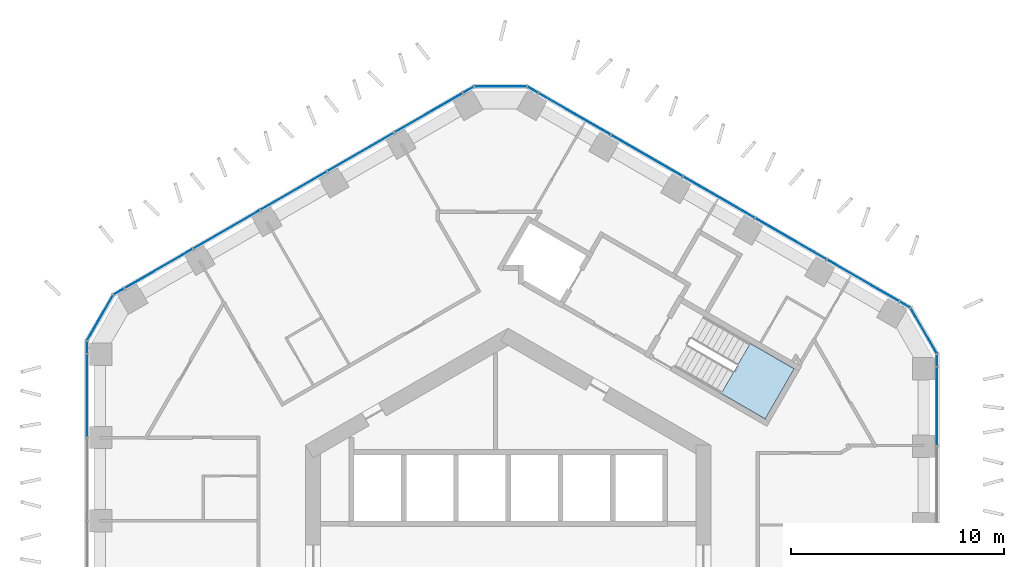
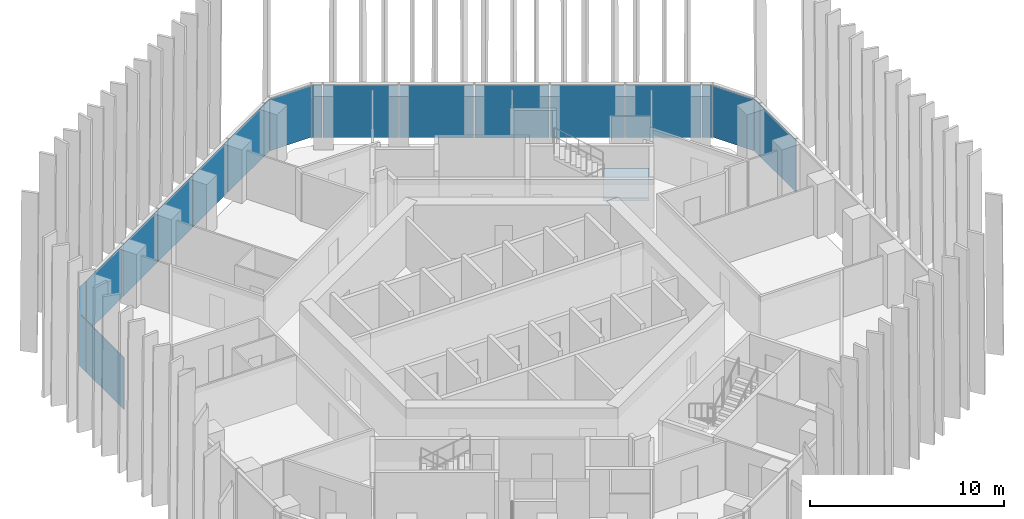
# One storey, part 11 of 19: 21 plates, 1 slab, 8 elements without a shape of their own.
"""IFC4 building model written with IfcOpenShell, lengths in metres."""

from ifc_helpers import new_model, si_unit, direction, frame, origin, origin_2d, place, context, subcontext, project, spatial, polyline, rectangle, outline, extrude, material, layer, layer_set, type_object, element, aggregate, save


model = new_model("IFC4")

# Units and contexts
model_context = context("Model", 3, precision=1e-05, world=origin(), true_north=direction((0.0, 1.0)))
body_context = subcontext(model_context, "Body", "Model", "MODEL_VIEW")
ifc_project = project(units=[si_unit("LENGTHUNIT", "METRE"), si_unit("AREAUNIT", "SQUARE_METRE"), si_unit("VOLUMEUNIT", "CUBIC_METRE"), si_unit("PLANEANGLEUNIT", "RADIAN"), si_unit("MASSUNIT", "GRAM", prefix="KILO")], contexts=[model_context])

# Site, building, storey
site_placement = place(None, origin())
site = spatial("IfcSite", under=ifc_project, at=site_placement, CompositionType="ELEMENT")
building_placement = place(site_placement, origin())
building = spatial("IfcBuilding", under=site, at=building_placement, Name="Ayvan Gate Tower", CompositionType="ELEMENT")
storey_placement = place(building_placement, frame((0.0, 0.0, 103.5)))
storey = spatial("IfcBuildingStorey", under=building, at=storey_placement, Name="L27", CompositionType="ELEMENT", Elevation=103.5)

# Stair, slab
ifc_material_1 = material(Name="Concrete C40/50", Category="concrete")
stair_type = type_object("IfcStairType", Name="ST-EXIT", PredefinedType="HALF_TURN_STAIR", material=ifc_material_1)
stair_placement = place(storey_placement, origin())
stair = element("IfcStair", 1, at=stair_placement, inside=storey, type_object=stair_type, Name="L27 Exit Stair S1", PredefinedType="HALF_TURN_STAIR")
ifc_layer_1 = layer(ifc_material_1, 0.199951171875)
ifc_layer_set_1 = layer_set([ifc_layer_1], Name="Concrete C40/50")
slab_type = type_object("IfcSlabType", Name="SL-LANDING-200", PredefinedType="LANDING", material=ifc_layer_set_1)
slab_placement = place(storey_placement, frame((0.0, 0.0, 1.5)))
slab = element("IfcSlab", 2, at=slab_placement, type_object=slab_type, Name="STS1 landing 1", PredefinedType="LANDING", context=body_context, shape_type="SweptSolid", body=[
    extrude(outline(polyline([(9.988525390625, 7.91064453125), (12.049560546875, 6.720458984375), (13.404541015625, 9.0673828125), (11.343505859375, 10.257568359375), (9.988525390625, 7.91064453125)])), origin(), (0.0, 0.0, 1.0), 0.199951171875),
])
aggregate(stair, [slab])

# Curtain wall, plates
ifc_material_2 = material(Name="Bronze anodised aluminium", Category="aluminium")
ifc_layer_2 = layer(ifc_material_2, 0.199951171875)
ifc_layer_set_2 = layer_set([ifc_layer_2], Name="Bronze anodised aluminium")
curtain_wall_type_1 = type_object("IfcCurtainWallType", Name="Stick curtain wall CW-1", PredefinedType="NOTDEFINED", material=ifc_layer_set_2)
curtain_wall_1_placement = place(storey_placement, origin())
curtain_wall_1 = element("IfcCurtainWall", 3, at=curtain_wall_1_placement, inside=storey, type_object=curtain_wall_type_1, Name="Stick curtain wall CW-1 L27", PredefinedType="NOTDEFINED")
ifc_material_3 = material(Name="Clear low-iron laminated glass", Category="glass")
ifc_layer_3 = layer(ifc_material_3, 0.028076171875)
ifc_layer_set_3 = layer_set([ifc_layer_3], Name="Clear low-iron laminated glass")
plate_type_1 = type_object("IfcPlateType", Name="Stick curtain wall CW-1 glass panel", PredefinedType="CURTAIN_PANEL", material=ifc_layer_set_3)
plate_1_placement = place(storey_placement, frame((-3.719482421875, 21.07421875, 0.0), z_axis=(0.0, 0.0, 1.0), x_axis=(-0.866025403784, -0.5, 0.0)))
plate_1 = element("IfcPlate", 4, at=plate_1_placement, type_object=plate_type_1, Name="CW-1 glass panel 1", PredefinedType="CURTAIN_PANEL", context=body_context, shape_type="SweptSolid", body=[
    extrude(rectangle(XDim=3.68603515625, YDim=0.028076171875, at=origin_2d()), origin(), (0.0, 0.0, 1.0), 3.280029296875),
])
plate_2_placement = place(storey_placement, frame((-6.912841796875, 19.23046875, 0.0), z_axis=(0.0, 0.0, 1.0), x_axis=(-0.866025403784, -0.5, 0.0)))
plate_2 = element("IfcPlate", 5, at=plate_2_placement, type_object=plate_type_1, Name="CW-1 glass panel 2", PredefinedType="CURTAIN_PANEL", context=body_context, shape_type="SweptSolid", body=[
    extrude(rectangle(XDim=3.569091796875, YDim=0.028076171875, at=origin_2d()), origin(), (0.0, 0.0, 1.0), 3.280029296875),
])
plate_3_placement = place(storey_placement, frame((-10.0556640625, 17.416015625, 0.0), z_axis=(0.0, 0.0, 1.0), x_axis=(-0.866025403784, -0.5, 0.0)))
plate_3 = element("IfcPlate", 6, at=plate_3_placement, type_object=plate_type_1, Name="CW-1 glass panel 3", PredefinedType="CURTAIN_PANEL", context=body_context, shape_type="SweptSolid", body=[
    extrude(rectangle(XDim=3.569091796875, YDim=0.028076171875, at=origin_2d()), origin(), (0.0, 0.0, 1.0), 3.280029296875),
])
plate_4_placement = place(storey_placement, frame((-13.198486328125, 15.6015625, 0.0), z_axis=(0.0, 0.0, 1.0), x_axis=(-0.866025403784, -0.5, 0.0)))
plate_4 = element("IfcPlate", 7, at=plate_4_placement, type_object=plate_type_1, Name="CW-1 glass panel 4", PredefinedType="CURTAIN_PANEL", context=body_context, shape_type="SweptSolid", body=[
    extrude(rectangle(XDim=3.569091796875, YDim=0.028076171875, at=origin_2d()), origin(), (0.0, 0.0, 1.0), 3.280029296875),
])
plate_5_placement = place(storey_placement, frame((-16.3916015625, 13.758056640625, 0.0), z_axis=(0.0, 0.0, 1.0), x_axis=(-0.866025403784, -0.5, 0.0)))
plate_5 = element("IfcPlate", 8, at=plate_5_placement, type_object=plate_type_1, Name="CW-1 glass panel 5", PredefinedType="CURTAIN_PANEL", context=body_context, shape_type="SweptSolid", body=[
    extrude(rectangle(XDim=3.68505859375, YDim=0.028076171875, at=origin_2d()), origin(), (0.0, 0.0, 1.0), 3.280029296875),
])
aggregate(curtain_wall_1, [plate_1, plate_2, plate_3, plate_4, plate_5])

# Curtain wall, plate
curtain_wall_2_placement = place(storey_placement, origin())
curtain_wall_2 = element("IfcCurtainWall", 9, at=curtain_wall_2_placement, inside=storey, type_object=curtain_wall_type_1, Name="Stick curtain wall CW-1 L27", PredefinedType="NOTDEFINED")
plate_6_placement = place(storey_placement, frame((-19.75439453125, 7.8251953125, 0.0), z_axis=(0.0, 0.0, 1.0), x_axis=(0.0, -1.0, 0.0)))
plate_6 = element("IfcPlate", 10, at=plate_6_placement, type_object=plate_type_1, Name="CW-1 glass panel 1", PredefinedType="CURTAIN_PANEL", context=body_context, shape_type="SweptSolid", body=[
    extrude(rectangle(XDim=3.90087890625, YDim=0.028076171875, at=origin_2d()), origin(), (0.0, 0.0, 1.0), 3.280029296875),
])
aggregate(curtain_wall_2, [plate_6])

curtain_wall_3_placement = place(storey_placement, origin())
curtain_wall_3 = element("IfcCurtainWall", 11, at=curtain_wall_3_placement, inside=storey, type_object=curtain_wall_type_1, Name="Stick curtain wall CW-1 L27", PredefinedType="NOTDEFINED")
plate_7_placement = place(storey_placement, frame((20.110595703125, 7.31640625, 0.0), z_axis=(0.0, 0.0, 1.0), x_axis=(0.0, 1.0, 0.0)))
plate_7 = element("IfcPlate", 12, at=plate_7_placement, type_object=plate_type_1, Name="CW-1 glass panel 5", PredefinedType="CURTAIN_PANEL", context=body_context, shape_type="SweptSolid", body=[
    extrude(rectangle(XDim=3.68505859375, YDim=0.028076171875, at=origin_2d()), origin(), (0.0, 0.0, 1.0), 3.280029296875),
])
aggregate(curtain_wall_3, [plate_7])

# Curtain wall, plates
curtain_wall_4_placement = place(storey_placement, origin())
curtain_wall_4 = element("IfcCurtainWall", 13, at=curtain_wall_4_placement, inside=storey, type_object=curtain_wall_type_1, Name="Stick curtain wall CW-1 L27", PredefinedType="NOTDEFINED")
plate_8_placement = place(storey_placement, frame((16.654052734375, 13.1953125, 0.0), z_axis=(0.0, 0.0, 1.0), x_axis=(-0.866025403784, 0.5, 0.0)))
plate_8 = element("IfcPlate", 14, at=plate_8_placement, type_object=plate_type_1, Name="CW-1 glass panel 1", PredefinedType="CURTAIN_PANEL", context=body_context, shape_type="SweptSolid", body=[
    extrude(rectangle(XDim=3.90087890625, YDim=0.028076171875, at=origin_2d()), origin(), (0.0, 0.0, 1.0), 3.280029296875),
])
plate_9_placement = place(storey_placement, frame((13.25146484375, 15.15966796875, 0.0), z_axis=(0.0, 0.0, 1.0), x_axis=(-0.866025403784, 0.5, 0.0)))
plate_9 = element("IfcPlate", 15, at=plate_9_placement, type_object=plate_type_1, Name="CW-1 glass panel 2", PredefinedType="CURTAIN_PANEL", context=body_context, shape_type="SweptSolid", body=[
    extrude(rectangle(XDim=3.8369140625, YDim=0.028076171875, at=origin_2d()), origin(), (0.0, 0.0, 1.0), 3.280029296875),
])
plate_10_placement = place(storey_placement, frame((9.877197265625, 17.10791015625, 0.0), z_axis=(0.0, 0.0, 1.0), x_axis=(-0.866025403784, 0.5, 0.0)))
plate_10 = element("IfcPlate", 16, at=plate_10_placement, type_object=plate_type_1, Name="CW-1 glass panel 3", PredefinedType="CURTAIN_PANEL", context=body_context, shape_type="SweptSolid", body=[
    extrude(rectangle(XDim=3.8359375, YDim=0.028076171875, at=origin_2d()), origin(), (0.0, 0.0, 1.0), 3.280029296875),
])
plate_11_placement = place(storey_placement, frame((6.5029296875, 19.055908203125, 0.0), z_axis=(0.0, 0.0, 1.0), x_axis=(-0.866025403784, 0.5, 0.0)))
plate_11 = element("IfcPlate", 17, at=plate_11_placement, type_object=plate_type_1, Name="CW-1 glass panel 4", PredefinedType="CURTAIN_PANEL", context=body_context, shape_type="SweptSolid", body=[
    extrude(rectangle(XDim=3.8359375, YDim=0.028076171875, at=origin_2d()), origin(), (0.0, 0.0, 1.0), 3.280029296875),
])
plate_12_placement = place(storey_placement, frame((3.1005859375, 21.0205078125, 0.0), z_axis=(0.0, 0.0, 1.0), x_axis=(-0.866025403784, 0.5, 0.0)))
plate_12 = element("IfcPlate", 18, at=plate_12_placement, type_object=plate_type_1, Name="CW-1 glass panel 5", PredefinedType="CURTAIN_PANEL", context=body_context, shape_type="SweptSolid", body=[
    extrude(rectangle(XDim=3.901611328125, YDim=0.028076171875, at=origin_2d()), origin(), (0.0, 0.0, 1.0), 3.280029296875),
])
aggregate(curtain_wall_4, [plate_8, plate_9, plate_10, plate_11, plate_12])

ifc_layer_4 = layer(ifc_material_2, 0.199951171875)
ifc_layer_set_4 = layer_set([ifc_layer_4], Name="Bronze anodised aluminium")
curtain_wall_type_2 = type_object("IfcCurtainWallType", Name="Stick curtain wall CW-6", PredefinedType="NOTDEFINED", material=ifc_layer_set_4)
curtain_wall_5_placement = place(storey_placement, origin())
curtain_wall_5 = element("IfcCurtainWall", 19, at=curtain_wall_5_placement, inside=storey, type_object=curtain_wall_type_2, Name="Stick curtain wall CW-6 L27", PredefinedType="NOTDEFINED")
ifc_layer_5 = layer(ifc_material_3, 0.028076171875)
ifc_layer_set_5 = layer_set([ifc_layer_5], Name="Clear low-iron laminated glass")
plate_type_2 = type_object("IfcPlateType", Name="Stick curtain wall CW-6 glass panel", PredefinedType="CURTAIN_PANEL", material=ifc_layer_set_5)
plate_13_placement = place(storey_placement, frame((-18.25146484375, 12.684326171875, 0.0), z_axis=(0.0, 0.0, 1.0), x_axis=(-0.866025403784, -0.5, 0.0)))
plate_13 = element("IfcPlate", 20, at=plate_13_placement, type_object=plate_type_2, Name="CW-6 glass panel 1", PredefinedType="CURTAIN_PANEL", context=body_context, shape_type="SweptSolid", body=[
    extrude(rectangle(XDim=0.550048828125, YDim=0.028076171875, at=origin_2d()), origin(), (0.0, 0.0, 1.0), 3.280029296875),
])
plate_14_placement = place(storey_placement, frame((-19.1328125, 11.45751953125, 0.0), z_axis=(0.0, 0.0, 1.0), x_axis=(-0.5, -0.866025403784, 0.0)))
plate_14 = element("IfcPlate", 21, at=plate_14_placement, type_object=plate_type_2, Name="CW-6 glass panel 2", PredefinedType="CURTAIN_PANEL", context=body_context, shape_type="SweptSolid", body=[
    extrude(rectangle(XDim=2.4365234375, YDim=0.028076171875, at=origin_2d()), origin(), (0.0, 0.0, 1.0), 3.280029296875),
])
plate_15_placement = place(storey_placement, frame((-19.75439453125, 10.080810546875, 0.0), z_axis=(0.0, 0.0, 1.0), x_axis=(0.0, -1.0, 0.0)))
plate_15 = element("IfcPlate", 22, at=plate_15_placement, type_object=plate_type_2, Name="CW-6 glass panel 3", PredefinedType="CURTAIN_PANEL", context=body_context, shape_type="SweptSolid", body=[
    extrude(rectangle(XDim=0.550048828125, YDim=0.028076171875, at=origin_2d()), origin(), (0.0, 0.0, 1.0), 3.280029296875),
])
aggregate(curtain_wall_5, [plate_13, plate_14, plate_15])

curtain_wall_6_placement = place(storey_placement, origin())
curtain_wall_6 = element("IfcCurtainWall", 23, at=curtain_wall_6_placement, inside=storey, type_object=curtain_wall_type_2, Name="Stick curtain wall CW-6 L27", PredefinedType="NOTDEFINED")
plate_16_placement = place(storey_placement, frame((20.110595703125, 9.464111328125, 0.0), z_axis=(0.0, 0.0, 1.0), x_axis=(0.0, 1.0, 0.0)))
plate_16 = element("IfcPlate", 24, at=plate_16_placement, type_object=plate_type_2, Name="CW-6 glass panel 1", PredefinedType="CURTAIN_PANEL", context=body_context, shape_type="SweptSolid", body=[
    extrude(rectangle(XDim=0.550048828125, YDim=0.028076171875, at=origin_2d()), origin(), (0.0, 0.0, 1.0), 3.280029296875),
])
plate_17_placement = place(storey_placement, frame((19.489013671875, 10.8408203125, 0.0), z_axis=(0.0, 0.0, 1.0), x_axis=(-0.5, 0.866025403784, 0.0)))
plate_17 = element("IfcPlate", 25, at=plate_17_placement, type_object=plate_type_2, Name="CW-6 glass panel 2", PredefinedType="CURTAIN_PANEL", context=body_context, shape_type="SweptSolid", body=[
    extrude(rectangle(XDim=2.4365234375, YDim=0.028076171875, at=origin_2d()), origin(), (0.0, 0.0, 1.0), 3.280029296875),
])
plate_18_placement = place(storey_placement, frame((18.607421875, 12.0673828125, 0.0), z_axis=(0.0, 0.0, 1.0), x_axis=(-0.866025403784, 0.5, 0.0)))
plate_18 = element("IfcPlate", 26, at=plate_18_placement, type_object=plate_type_2, Name="CW-6 glass panel 3", PredefinedType="CURTAIN_PANEL", context=body_context, shape_type="SweptSolid", body=[
    extrude(rectangle(XDim=0.550048828125, YDim=0.028076171875, at=origin_2d()), origin(), (0.0, 0.0, 1.0), 3.280029296875),
])
aggregate(curtain_wall_6, [plate_16, plate_17, plate_18])

curtain_wall_7_placement = place(storey_placement, origin())
curtain_wall_7 = element("IfcCurtainWall", 27, at=curtain_wall_7_placement, inside=storey, type_object=curtain_wall_type_2, Name="Stick curtain wall CW-6 L27", PredefinedType="NOTDEFINED")
plate_19_placement = place(storey_placement, frame((1.14697265625, 22.148193359375, 0.0), z_axis=(0.0, 0.0, 1.0), x_axis=(-0.866025403784, 0.5, 0.0)))
plate_19 = element("IfcPlate", 28, at=plate_19_placement, type_object=plate_type_2, Name="CW-6 glass panel 1", PredefinedType="CURTAIN_PANEL", context=body_context, shape_type="SweptSolid", body=[
    extrude(rectangle(XDim=0.550048828125, YDim=0.028076171875, at=origin_2d()), origin(), (0.0, 0.0, 1.0), 3.280029296875),
])
plate_20_placement = place(storey_placement, frame((-0.356201171875, 22.29833984375, 0.0), z_axis=(0.0, 0.0, 1.0), x_axis=(-1.0, 0.0, 0.0)))
plate_20 = element("IfcPlate", 29, at=plate_20_placement, type_object=plate_type_2, Name="CW-6 glass panel 2", PredefinedType="CURTAIN_PANEL", context=body_context, shape_type="SweptSolid", body=[
    extrude(rectangle(XDim=2.4365234375, YDim=0.028076171875, at=origin_2d()), origin(), (0.0, 0.0, 1.0), 3.280029296875),
])
plate_21_placement = place(storey_placement, frame((-1.859130859375, 22.148193359375, 0.0), z_axis=(0.0, 0.0, 1.0), x_axis=(-0.866025403784, -0.5, 0.0)))
plate_21 = element("IfcPlate", 30, at=plate_21_placement, type_object=plate_type_2, Name="CW-6 glass panel 3", PredefinedType="CURTAIN_PANEL", context=body_context, shape_type="SweptSolid", body=[
    extrude(rectangle(XDim=0.550048828125, YDim=0.028076171875, at=origin_2d()), origin(), (0.0, 0.0, 1.0), 3.280029296875),
])
aggregate(curtain_wall_7, [plate_19, plate_20, plate_21])

save(model, "model.ifc")
